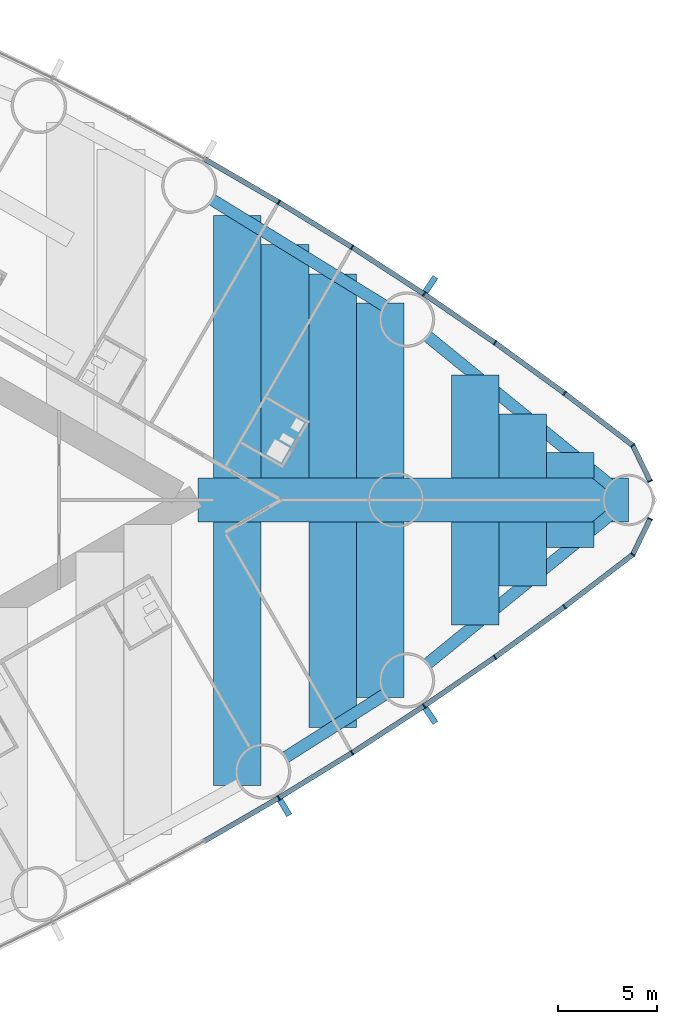
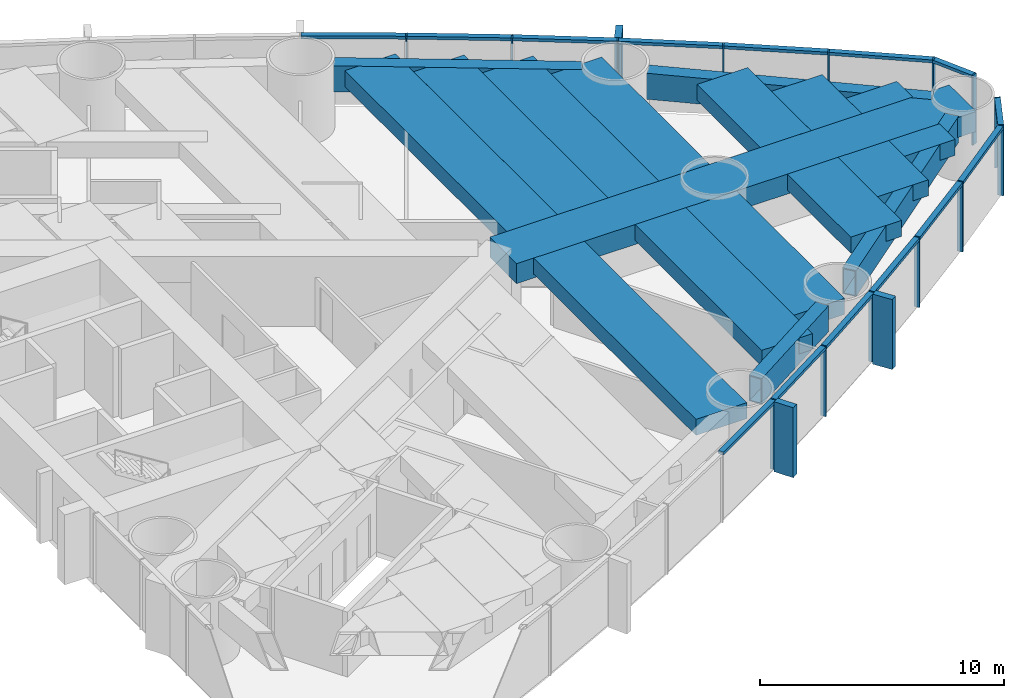
# One storey, part 8 of 19: 31 members, 18 beams, 2 elements without a shape of their own.
"""IFC4 building model written with IfcOpenShell, lengths in metres."""

from ifc_helpers import new_model, si_unit, direction, frame, origin, origin_2d, place, context, subcontext, project, spatial, rectangle, hollow_rectangle, extrude, material, material_profile, profile_set, type_object, element, aggregate, save


model = new_model("IFC4")

# Units and contexts
model_context = context("Model", 3, precision=1e-05, world=origin(), true_north=direction((0.0, 1.0)))
body_context = subcontext(model_context, "Body", "Model", "MODEL_VIEW")
ifc_project = project(units=[si_unit("LENGTHUNIT", "METRE"), si_unit("AREAUNIT", "SQUARE_METRE"), si_unit("VOLUMEUNIT", "CUBIC_METRE"), si_unit("PLANEANGLEUNIT", "RADIAN"), si_unit("MASSUNIT", "GRAM", prefix="KILO")], contexts=[model_context])

# Site, building, storey
site_placement = place(None, origin())
site = spatial("IfcSite", under=ifc_project, at=site_placement, CompositionType="ELEMENT")
building_placement = place(site_placement, origin())
building = spatial("IfcBuilding", under=site, at=building_placement, Name="Lancet Gate Hotel", CompositionType="ELEMENT")
storey_placement = place(building_placement, frame((0.0, 0.0, 74.0)))
storey = spatial("IfcBuildingStorey", under=building, at=storey_placement, Name="L19", CompositionType="ELEMENT", Elevation=74.0)

# Curtain wall, members
ifc_material_1 = material(Name="Aluminium curtain wall", Category="aluminium")
curtain_wall_type = type_object("IfcCurtainWallType", Name="Tower unitised curtain wall", PredefinedType="USERDEFINED", material=ifc_material_1)
curtain_wall_1_placement = place(storey_placement, origin())
curtain_wall_1 = element("IfcCurtainWall", 1, at=curtain_wall_1_placement, inside=storey, type_object=curtain_wall_type, Name="T2 L19 curtain wall 2", ObjectType="UNITISED CURTAIN WALL", PredefinedType="USERDEFINED")
ifc_material_2 = material(Name="Aluminium mullion", Category="aluminium")
ifc_material_profile_1 = material_profile(ifc_material_2, rectangle(XDim=0.06494140625, YDim=0.25, at=origin_2d()), Name="MULLION 65x250")
ifc_profile_set_1 = profile_set([ifc_material_profile_1], Name="Aluminium mullion")
member_type_1 = type_object("IfcMemberType", Name="Aluminium mullion 65x250", PredefinedType="MULLION", material=ifc_profile_set_1)
member_1_placement = place(storey_placement, frame((55.590087890625, -15.03125, 0.0), z_axis=(0.0, 0.0, 1.0), x_axis=(0.858413008828, 0.512959166284, 0.0)))
member_1 = element("IfcMember", 2, at=member_1_placement, type_object=member_type_1, Name="T2 L19 curtain wall 2 mullion 8", PredefinedType="MULLION", context=body_context, shape_type="SweptSolid", body=[
    extrude(rectangle(XDim=0.06494140625, YDim=0.25, at=origin_2d()), origin(), (0.0, 0.0, 1.0), 3.5),
])
member_2_placement = place(storey_placement, frame((59.28515625, -12.7587890625, 0.0), z_axis=(0.0, 0.0, 1.0), x_axis=(0.845079420983, 0.534640788035, 0.0)))
member_2 = element("IfcMember", 3, at=member_2_placement, type_object=member_type_1, Name="T2 L19 curtain wall 2 mullion 9", PredefinedType="MULLION", context=body_context, shape_type="SweptSolid", body=[
    extrude(rectangle(XDim=0.06494140625, YDim=0.25, at=origin_2d()), origin(), (0.0, 0.0, 1.0), 3.5),
])
member_3_placement = place(storey_placement, frame((62.921142578125, -10.393310546875, 0.0), z_axis=(0.0, 0.0, 1.0), x_axis=(0.831198325377, 0.555976028162, 0.0)))
member_3 = element("IfcMember", 4, at=member_3_placement, type_object=member_type_1, Name="T2 L19 curtain wall 2 mullion 10", PredefinedType="MULLION", context=body_context, shape_type="SweptSolid", body=[
    extrude(rectangle(XDim=0.06494140625, YDim=0.25, at=origin_2d()), origin(), (0.0, 0.0, 1.0), 3.5),
])
member_4_placement = place(storey_placement, frame((66.49560546875, -7.935791015625, 0.0), z_axis=(0.0, 0.0, 1.0), x_axis=(0.816778715254, 0.576951064049, 0.0)))
member_4 = element("IfcMember", 5, at=member_4_placement, type_object=member_type_1, Name="T2 L19 curtain wall 2 mullion 11", PredefinedType="MULLION", context=body_context, shape_type="SweptSolid", body=[
    extrude(rectangle(XDim=0.06494140625, YDim=0.25, at=origin_2d()), origin(), (0.0, 0.0, 1.0), 3.5),
])
member_5_placement = place(storey_placement, frame((70.00634765625, -5.388427734375, 0.0), z_axis=(0.0, 0.0, 1.0), x_axis=(0.801829932754, 0.597552306447, 0.0)))
member_5 = element("IfcMember", 6, at=member_5_placement, type_object=member_type_1, Name="T2 L19 curtain wall 2 mullion 12", PredefinedType="MULLION", context=body_context, shape_type="SweptSolid", body=[
    extrude(rectangle(XDim=0.06494140625, YDim=0.25, at=origin_2d()), origin(), (0.0, 0.0, 1.0), 3.5),
])
member_6_placement = place(storey_placement, frame((73.451416015625, -2.752197265625, 0.0), z_axis=(0.0, 0.0, 1.0), x_axis=(0.697983022443, 0.716114306784, 0.0)))
member_6 = element("IfcMember", 7, at=member_6_placement, type_object=member_type_1, Name="T2 L19 curtain wall 2 mullion 13", PredefinedType="MULLION", context=body_context, shape_type="SweptSolid", body=[
    extrude(rectangle(XDim=0.06494140625, YDim=0.25, at=origin_2d()), origin(), (0.0, 0.0, 1.0), 3.5),
])
member_7_placement = place(storey_placement, frame((74.322265625, -0.96044921875, 0.0), z_axis=(0.0, 0.0, 1.0), x_axis=(0.437169070119, 0.899379343843, 0.0)))
member_7 = element("IfcMember", 8, at=member_7_placement, type_object=member_type_1, Name="T2 L19 curtain wall 2 mullion 14", PredefinedType="MULLION", context=body_context, shape_type="SweptSolid", body=[
    extrude(rectangle(XDim=0.06494140625, YDim=0.25, at=origin_2d()), origin(), (0.0, 0.0, 1.0), 3.5),
])

curtain_wall_2_placement = place(storey_placement, origin())
curtain_wall_2 = element("IfcCurtainWall", 9, at=curtain_wall_2_placement, inside=storey, type_object=curtain_wall_type, Name="T2 L19 curtain wall 3", ObjectType="UNITISED CURTAIN WALL", PredefinedType="USERDEFINED")
member_8_placement = place(storey_placement, frame((74.322265625, 0.96044921875, 0.0), z_axis=(0.0, 0.0, 1.0), x_axis=(-0.437169070119, 0.899379343843, 0.0)))
member_8 = element("IfcMember", 10, at=member_8_placement, type_object=member_type_1, Name="T2 L19 curtain wall 3 mullion 1", PredefinedType="MULLION", context=body_context, shape_type="SweptSolid", body=[
    extrude(rectangle(XDim=0.06494140625, YDim=0.25, at=origin_2d()), origin(), (0.0, 0.0, 1.0), 3.5),
])
member_9_placement = place(storey_placement, frame((73.451416015625, 2.752197265625, 0.0), z_axis=(0.0, 0.0, 1.0), x_axis=(-0.697983022443, 0.716114306784, 0.0)))
member_9 = element("IfcMember", 11, at=member_9_placement, type_object=member_type_1, Name="T2 L19 curtain wall 3 mullion 2", PredefinedType="MULLION", context=body_context, shape_type="SweptSolid", body=[
    extrude(rectangle(XDim=0.06494140625, YDim=0.25, at=origin_2d()), origin(), (0.0, 0.0, 1.0), 3.5),
])
member_10_placement = place(storey_placement, frame((70.00634765625, 5.388427734375, 0.0), z_axis=(0.0, 0.0, 1.0), x_axis=(-0.801829932754, 0.597552306447, 0.0)))
member_10 = element("IfcMember", 12, at=member_10_placement, type_object=member_type_1, Name="T2 L19 curtain wall 3 mullion 3", PredefinedType="MULLION", context=body_context, shape_type="SweptSolid", body=[
    extrude(rectangle(XDim=0.06494140625, YDim=0.25, at=origin_2d()), origin(), (0.0, 0.0, 1.0), 3.5),
])
member_11_placement = place(storey_placement, frame((66.49560546875, 7.935791015625, 0.0), z_axis=(0.0, 0.0, 1.0), x_axis=(-0.816778715254, 0.576951064049, 0.0)))
member_11 = element("IfcMember", 13, at=member_11_placement, type_object=member_type_1, Name="T2 L19 curtain wall 3 mullion 4", PredefinedType="MULLION", context=body_context, shape_type="SweptSolid", body=[
    extrude(rectangle(XDim=0.06494140625, YDim=0.25, at=origin_2d()), origin(), (0.0, 0.0, 1.0), 3.5),
])
member_12_placement = place(storey_placement, frame((62.921142578125, 10.393310546875, 0.0), z_axis=(0.0, 0.0, 1.0), x_axis=(-0.831198325377, 0.555976028162, 0.0)))
member_12 = element("IfcMember", 14, at=member_12_placement, type_object=member_type_1, Name="T2 L19 curtain wall 3 mullion 5", PredefinedType="MULLION", context=body_context, shape_type="SweptSolid", body=[
    extrude(rectangle(XDim=0.06494140625, YDim=0.25, at=origin_2d()), origin(), (0.0, 0.0, 1.0), 3.5),
])
member_13_placement = place(storey_placement, frame((59.28515625, 12.7587890625, 0.0), z_axis=(0.0, 0.0, 1.0), x_axis=(-0.845079420983, 0.534640788035, 0.0)))
member_13 = element("IfcMember", 15, at=member_13_placement, type_object=member_type_1, Name="T2 L19 curtain wall 3 mullion 6", PredefinedType="MULLION", context=body_context, shape_type="SweptSolid", body=[
    extrude(rectangle(XDim=0.06494140625, YDim=0.25, at=origin_2d()), origin(), (0.0, 0.0, 1.0), 3.5),
])
member_14_placement = place(storey_placement, frame((55.590087890625, 15.03125, 0.0), z_axis=(0.0, 0.0, 1.0), x_axis=(-0.858413008828, 0.512959166284, 0.0)))
member_14 = element("IfcMember", 16, at=member_14_placement, type_object=member_type_1, Name="T2 L19 curtain wall 3 mullion 7", PredefinedType="MULLION", context=body_context, shape_type="SweptSolid", body=[
    extrude(rectangle(XDim=0.06494140625, YDim=0.25, at=origin_2d()), origin(), (0.0, 0.0, 1.0), 3.5),
])

# Member
ifc_material_3 = material(Name="Aluminium transom", Category="aluminium")
ifc_material_profile_2 = material_profile(ifc_material_3, rectangle(XDim=0.25, YDim=0.14990234375, at=origin_2d()), Name="TRANSOM 250x150")
ifc_profile_set_2 = profile_set([ifc_material_profile_2], Name="Aluminium transom")
member_type_2 = type_object("IfcMemberType", Name="Aluminium transom 250x150", PredefinedType="USERDEFINED", material=ifc_profile_set_2)
member_15_placement = place(storey_placement, frame((51.86669921875, -17.1923828125, 3.425048828125), z_axis=(0.864854571156, 0.502022480324, 0.0), x_axis=(-0.502022480324, 0.864854571156, 0.0)))
member_15 = element("IfcMember", 17, at=member_15_placement, type_object=member_type_2, Name="T2 L19 curtain wall 2 transom 7", ObjectType="TRANSOM", PredefinedType="USERDEFINED", context=body_context, shape_type="SweptSolid", body=[
    extrude(rectangle(XDim=0.25, YDim=0.14990234375, at=origin_2d()), origin(), (0.0, 0.0, 1.0), 4.272705078125),
])

member_16_placement = place(storey_placement, frame((55.617919921875, -15.01416015625, 3.425048828125), z_axis=(0.851815224451, 0.523842365023, 0.0), x_axis=(-0.523842365023, 0.851815224451, 0.0)))
member_16 = element("IfcMember", 18, at=member_16_placement, type_object=member_type_2, Name="T2 L19 curtain wall 2 transom 8", ObjectType="TRANSOM", PredefinedType="USERDEFINED", context=body_context, shape_type="SweptSolid", body=[
    extrude(rectangle(XDim=0.25, YDim=0.14990234375, at=origin_2d()), origin(), (0.0, 0.0, 1.0), 4.272705078125),
])

member_17_placement = place(storey_placement, frame((59.3125, -12.7412109375, 3.425048828125), z_axis=(0.83817850664, 0.545395994674, 0.0), x_axis=(-0.545395994674, 0.83817850664, 0.0)))
member_17 = element("IfcMember", 19, at=member_17_placement, type_object=member_type_2, Name="T2 L19 curtain wall 2 transom 9", ObjectType="TRANSOM", PredefinedType="USERDEFINED", context=body_context, shape_type="SweptSolid", body=[
    extrude(rectangle(XDim=0.25, YDim=0.14990234375, at=origin_2d()), origin(), (0.0, 0.0, 1.0), 4.272705078125),
])

member_18_placement = place(storey_placement, frame((62.94775390625, -10.374755859375, 3.425048828125), z_axis=(0.824071932869, 0.566485171437, 0.0), x_axis=(-0.566485171437, 0.824071932869, 0.0)))
member_18 = element("IfcMember", 20, at=member_18_placement, type_object=member_type_2, Name="T2 L19 curtain wall 2 transom 10", ObjectType="TRANSOM", PredefinedType="USERDEFINED", context=body_context, shape_type="SweptSolid", body=[
    extrude(rectangle(XDim=0.25, YDim=0.14990234375, at=origin_2d()), origin(), (0.0, 0.0, 1.0), 4.272705078125),
])

member_19_placement = place(storey_placement, frame((66.52197265625, -7.916748046875, 3.425048828125), z_axis=(0.809382971085, 0.587281198505, 0.0), x_axis=(-0.587281198505, 0.809382971085, 0.0)))
member_19 = element("IfcMember", 21, at=member_19_placement, type_object=member_type_2, Name="T2 L19 curtain wall 2 transom 11", ObjectType="TRANSOM", PredefinedType="USERDEFINED", context=body_context, shape_type="SweptSolid", body=[
    extrude(rectangle(XDim=0.25, YDim=0.14990234375, at=origin_2d()), origin(), (0.0, 0.0, 1.0), 4.272705078125),
])

member_20_placement = place(storey_placement, frame((70.0322265625, -5.36865234375, 3.425048828125), z_axis=(0.794155062652, 0.607715177089, 0.0), x_axis=(-0.607715177089, 0.794155062652, 0.0)))
member_20 = element("IfcMember", 22, at=member_20_placement, type_object=member_type_2, Name="T2 L19 curtain wall 2 transom 12", ObjectType="TRANSOM", PredefinedType="USERDEFINED", context=body_context, shape_type="SweptSolid", body=[
    extrude(rectangle(XDim=0.25, YDim=0.14990234375, at=origin_2d()), origin(), (0.0, 0.0, 1.0), 4.27294921875),
])

member_21_placement = place(storey_placement, frame((73.465576171875, -2.72314453125, 3.425048828125), z_axis=(0.437103060611, 0.899411426659, 0.0), x_axis=(-0.899411426659, 0.437103060611, 0.0)))
member_21 = element("IfcMember", 23, at=member_21_placement, type_object=member_type_2, Name="T2 L19 curtain wall 2 transom 13", ObjectType="TRANSOM", PredefinedType="USERDEFINED", context=body_context, shape_type="SweptSolid", body=[
    extrude(rectangle(XDim=0.25, YDim=0.14990234375, at=origin_2d()), origin(), (0.0, 0.0, 1.0), 1.927490234375),
])

member_22_placement = place(storey_placement, frame((74.30810546875, 0.989501953125, 3.425048828125), z_axis=(-0.437103060611, 0.899411426659, 0.0), x_axis=(-0.899411426659, -0.437103060611, 0.0)))
member_22 = element("IfcMember", 24, at=member_22_placement, type_object=member_type_2, Name="T2 L19 curtain wall 3 transom 1", ObjectType="TRANSOM", PredefinedType="USERDEFINED", context=body_context, shape_type="SweptSolid", body=[
    extrude(rectangle(XDim=0.25, YDim=0.14990234375, at=origin_2d()), origin(), (0.0, 0.0, 1.0), 1.927490234375),
])

member_23_placement = place(storey_placement, frame((73.425537109375, 2.77197265625, 3.425048828125), z_axis=(-0.794155062652, 0.607715177089, 0.0), x_axis=(-0.607715177089, -0.794155062652, 0.0)))
member_23 = element("IfcMember", 25, at=member_23_placement, type_object=member_type_2, Name="T2 L19 curtain wall 3 transom 2", ObjectType="TRANSOM", PredefinedType="USERDEFINED", context=body_context, shape_type="SweptSolid", body=[
    extrude(rectangle(XDim=0.25, YDim=0.14990234375, at=origin_2d()), origin(), (0.0, 0.0, 1.0), 4.27294921875),
])

member_24_placement = place(storey_placement, frame((69.980224609375, 5.407470703125, 3.425048828125), z_axis=(-0.809382971085, 0.587281198505, 0.0), x_axis=(-0.587281198505, -0.809382971085, 0.0)))
member_24 = element("IfcMember", 26, at=member_24_placement, type_object=member_type_2, Name="T2 L19 curtain wall 3 transom 3", ObjectType="TRANSOM", PredefinedType="USERDEFINED", context=body_context, shape_type="SweptSolid", body=[
    extrude(rectangle(XDim=0.25, YDim=0.14990234375, at=origin_2d()), origin(), (0.0, 0.0, 1.0), 4.272705078125),
])

member_25_placement = place(storey_placement, frame((66.46875, 7.954345703125, 3.425048828125), z_axis=(-0.824071932869, 0.566485171437, 0.0), x_axis=(-0.566485171437, -0.824071932869, 0.0)))
member_25 = element("IfcMember", 27, at=member_25_placement, type_object=member_type_2, Name="T2 L19 curtain wall 3 transom 4", ObjectType="TRANSOM", PredefinedType="USERDEFINED", context=body_context, shape_type="SweptSolid", body=[
    extrude(rectangle(XDim=0.25, YDim=0.14990234375, at=origin_2d()), origin(), (0.0, 0.0, 1.0), 4.272705078125),
])

member_26_placement = place(storey_placement, frame((62.893798828125, 10.410888671875, 3.425048828125), z_axis=(-0.83817850664, 0.545395994674, 0.0), x_axis=(-0.545395994674, -0.83817850664, 0.0)))
member_26 = element("IfcMember", 28, at=member_26_placement, type_object=member_type_2, Name="T2 L19 curtain wall 3 transom 5", ObjectType="TRANSOM", PredefinedType="USERDEFINED", context=body_context, shape_type="SweptSolid", body=[
    extrude(rectangle(XDim=0.25, YDim=0.14990234375, at=origin_2d()), origin(), (0.0, 0.0, 1.0), 4.272705078125),
])

member_27_placement = place(storey_placement, frame((59.257568359375, 12.77587890625, 3.425048828125), z_axis=(-0.851815224451, 0.523842365023, 0.0), x_axis=(-0.523842365023, -0.851815224451, 0.0)))
member_27 = element("IfcMember", 29, at=member_27_placement, type_object=member_type_2, Name="T2 L19 curtain wall 3 transom 6", ObjectType="TRANSOM", PredefinedType="USERDEFINED", context=body_context, shape_type="SweptSolid", body=[
    extrude(rectangle(XDim=0.25, YDim=0.14990234375, at=origin_2d()), origin(), (0.0, 0.0, 1.0), 4.272705078125),
])

member_28_placement = place(storey_placement, frame((55.56201171875, 15.04736328125, 3.425048828125), z_axis=(-0.864854571156, 0.502022480324, 0.0), x_axis=(-0.502022480324, -0.864854571156, 0.0)))
member_28 = element("IfcMember", 30, at=member_28_placement, type_object=member_type_2, Name="T2 L19 curtain wall 3 transom 7", ObjectType="TRANSOM", PredefinedType="USERDEFINED", context=body_context, shape_type="SweptSolid", body=[
    extrude(rectangle(XDim=0.25, YDim=0.14990234375, at=origin_2d()), origin(), (0.0, 0.0, 1.0), 4.272705078125),
])

# Beams
ifc_material_4 = material(Name="Steel S460QL", Category="steel")
ifc_material_profile_3 = material_profile(ifc_material_4, hollow_rectangle(XDim=0.60009765625, YDim=1.300048828125, WallThickness=0.050048828125, at=origin_2d()), Name="BOX 1300x600x50")
ifc_profile_set_3 = profile_set([ifc_material_profile_3], Name="Steel S460QL")
beam_type_1 = type_object("IfcBeamType", Name="Edge beam BOX 1300x600x50", PredefinedType="SPANDREL", material=ifc_profile_set_3)
beam_1_placement = place(storey_placement, frame((55.93603515625, -12.978759765625, 2.60009765625), z_axis=(0.845082272445, 0.534636280848, 0.0), x_axis=(-0.534636280848, 0.845082272445, 0.0)))
element("IfcBeam", 31, at=beam_1_placement, inside=storey, type_object=beam_type_1, Name="T2 edge beam EB2 L19", PredefinedType="SPANDREL", context=body_context, shape_type="SweptSolid", body=[
    extrude(hollow_rectangle(XDim=0.60009765625, YDim=1.300048828125, WallThickness=0.050048828125, at=origin_2d()), origin(), (0.0, 0.0, 1.0), 5.895751953125),
])
for number, where, z_axis, x_axis, name in (
    (32, (63.106201171875, -8.25244140625, 2.60009765625), (0.775387451971, 0.631485787113, 0.0), (-0.631485787113, 0.775387451971, 0.0), "T2 edge beam EB2 L19"),
    (33, (72.27001953125, 0.789306640625, 2.60009765625), (-0.775387451971, 0.631485787113, 0.0), (-0.631485787113, -0.775387451971, 0.0), "T2 edge beam EB2 L19"),
):
    element("IfcBeam", number, at=place(storey_placement, frame(where, z_axis=z_axis, x_axis=x_axis)), inside=storey, type_object=beam_type_1, Name=name, PredefinedType="SPANDREL", context=body_context, shape_type="SweptSolid", body=[
        extrude(hollow_rectangle(XDim=0.60009765625, YDim=1.300048828125, WallThickness=0.050048828125, at=origin_2d()), origin(), (0.0, 0.0, 1.0), 11.818359375),
    ])
beam_2_placement = place(storey_placement, frame((60.909423828125, 9.81201171875, 2.60009765625), z_axis=(-0.851815364976, 0.523842136517, 0.0), x_axis=(-0.523842136517, -0.851815364976, 0.0)))
element("IfcBeam", 34, at=beam_2_placement, inside=storey, type_object=beam_type_1, Name="T2 edge beam EB2 L19", PredefinedType="SPANDREL", context=body_context, shape_type="SweptSolid", body=[
    extrude(hollow_rectangle(XDim=0.60009765625, YDim=1.300048828125, WallThickness=0.050048828125, at=origin_2d()), origin(), (0.0, 0.0, 1.0), 10.192138671875),
])

# Member
ifc_material_5 = material(Name="Precast concrete C50/60", Category="concrete")
ifc_material_profile_4 = material_profile(ifc_material_5, rectangle(XDim=0.300048828125, YDim=0.89990234375, at=origin_2d()), Name="FIN 300x900")
ifc_profile_set_4 = profile_set([ifc_material_profile_4], Name="Precast concrete C50/60")
member_type_3 = type_object("IfcMemberType", Name="Exposed concrete fin 300x900", PredefinedType="USERDEFINED", material=ifc_profile_set_4)
member_29_placement = place(storey_placement, frame((55.88525390625, -15.524658203125, 0.0), z_axis=(0.0, 0.0, 1.0), x_axis=(0.858413008828, 0.512959166284, 0.0)))
member_29 = element("IfcMember", 35, at=member_29_placement, type_object=member_type_3, Name="T2 L19 curtain wall 2 fin 8", ObjectType="FIN", PredefinedType="USERDEFINED", context=body_context, shape_type="SweptSolid", body=[
    extrude(rectangle(XDim=0.300048828125, YDim=0.89990234375, at=origin_2d()), origin(), (0.0, 0.0, 1.0), 3.5),
])

member_30_placement = place(storey_placement, frame((63.24072265625, -10.87109375, 0.0), z_axis=(0.0, 0.0, 1.0), x_axis=(0.831198325377, 0.555976028162, 0.0)))
member_30 = element("IfcMember", 36, at=member_30_placement, type_object=member_type_3, Name="T2 L19 curtain wall 2 fin 10", ObjectType="FIN", PredefinedType="USERDEFINED", context=body_context, shape_type="SweptSolid", body=[
    extrude(rectangle(XDim=0.300048828125, YDim=0.89990234375, at=origin_2d()), origin(), (0.0, 0.0, 1.0), 3.5),
])

aggregate(curtain_wall_1, [member_1, member_29, member_2, member_3, member_30, member_4, member_5, member_6, member_7, member_15, member_16, member_17, member_18, member_19, member_20, member_21])

member_31_placement = place(storey_placement, frame((63.24072265625, 10.87109375, 0.0), z_axis=(0.0, 0.0, 1.0), x_axis=(-0.831198325377, 0.555976028162, 0.0)))
member_31 = element("IfcMember", 37, at=member_31_placement, type_object=member_type_3, Name="T2 L19 curtain wall 3 fin 5", ObjectType="FIN", PredefinedType="USERDEFINED", context=body_context, shape_type="SweptSolid", body=[
    extrude(rectangle(XDim=0.300048828125, YDim=0.89990234375, at=origin_2d()), origin(), (0.0, 0.0, 1.0), 3.5),
])

aggregate(curtain_wall_2, [member_8, member_9, member_10, member_11, member_12, member_31, member_13, member_14, member_22, member_23, member_24, member_25, member_26, member_27, member_28])

# Beams
ifc_material_6 = material(Name="Concrete C50/60", Category="concrete")
ifc_material_profile_5 = material_profile(ifc_material_6, rectangle(XDim=2.39990234375, YDim=0.800048828125, at=origin_2d()), Name="RC 2400x800")
ifc_profile_set_5 = profile_set([ifc_material_profile_5], Name="Concrete C50/60")
beam_type_2 = type_object("IfcBeamType", Name="Floor beam RC 2400x800", PredefinedType="BEAM", material=ifc_profile_set_5)
beam_3_placement = place(storey_placement, frame((53.502197265625, -14.40771484375, 2.85009765625), z_axis=(0.0, 1.0, 0.0), x_axis=(-1.0, 0.0, 0.0)))
element("IfcBeam", 38, at=beam_3_placement, inside=storey, type_object=beam_type_2, Name="T2 floor beam F16S L19", PredefinedType="BEAM", context=body_context, shape_type="SweptSolid", body=[
    extrude(rectangle(XDim=2.39990234375, YDim=0.800048828125, at=origin_2d()), origin(), (0.0, 0.0, 1.0), 13.3076171875),
])
beam_4_placement = place(storey_placement, frame((53.502197265625, 1.10009765625, 2.85009765625), z_axis=(0.0, 1.0, 0.0), x_axis=(-1.0, 0.0, 0.0)))
element("IfcBeam", 39, at=beam_4_placement, inside=storey, type_object=beam_type_2, Name="T2 floor beam F17N L19", PredefinedType="BEAM", context=body_context, shape_type="SweptSolid", body=[
    extrude(rectangle(XDim=2.39990234375, YDim=0.800048828125, at=origin_2d()), origin(), (0.0, 0.0, 1.0), 13.26708984375),
])
beam_5_placement = place(storey_placement, frame((55.90234375, 1.10009765625, 2.85009765625), z_axis=(0.0, 1.0, 0.0), x_axis=(-1.0, 0.0, 0.0)))
element("IfcBeam", 40, at=beam_5_placement, inside=storey, type_object=beam_type_2, Name="T2 floor beam F18N L19", PredefinedType="BEAM", context=body_context, shape_type="SweptSolid", body=[
    extrude(rectangle(XDim=2.39990234375, YDim=0.800048828125, at=origin_2d()), origin(), (0.0, 0.0, 1.0), 11.791259765625),
])
beam_6_placement = place(storey_placement, frame((58.30224609375, -11.48193359375, 2.85009765625), z_axis=(0.0, 1.0, 0.0), x_axis=(-1.0, 0.0, 0.0)))
element("IfcBeam", 41, at=beam_6_placement, inside=storey, type_object=beam_type_2, Name="T2 floor beam F19S L19", PredefinedType="BEAM", context=body_context, shape_type="SweptSolid", body=[
    extrude(rectangle(XDim=2.39990234375, YDim=0.800048828125, at=origin_2d()), origin(), (0.0, 0.0, 1.0), 10.3818359375),
])
beam_7_placement = place(storey_placement, frame((58.30224609375, 1.10009765625, 2.85009765625), z_axis=(0.0, 1.0, 0.0), x_axis=(-1.0, 0.0, 0.0)))
element("IfcBeam", 42, at=beam_7_placement, inside=storey, type_object=beam_type_2, Name="T2 floor beam F20N L19", PredefinedType="BEAM", context=body_context, shape_type="SweptSolid", body=[
    extrude(rectangle(XDim=2.39990234375, YDim=0.800048828125, at=origin_2d()), origin(), (0.0, 0.0, 1.0), 10.3154296875),
])
beam_8_placement = place(storey_placement, frame((60.7021484375, -9.96337890625, 2.85009765625), z_axis=(0.0, 1.0, 0.0), x_axis=(-1.0, 0.0, 0.0)))
element("IfcBeam", 43, at=beam_8_placement, inside=storey, type_object=beam_type_2, Name="T2 floor beam F21S L19", PredefinedType="BEAM", context=body_context, shape_type="SweptSolid", body=[
    extrude(rectangle(XDim=2.39990234375, YDim=0.800048828125, at=origin_2d()), origin(), (0.0, 0.0, 1.0), 8.86328125),
])
beam_9_placement = place(storey_placement, frame((60.7021484375, 1.10009765625, 2.85009765625), z_axis=(0.0, 1.0, 0.0), x_axis=(-1.0, 0.0, 0.0)))
element("IfcBeam", 44, at=beam_9_placement, inside=storey, type_object=beam_type_2, Name="T2 floor beam F22N L19", PredefinedType="BEAM", context=body_context, shape_type="SweptSolid", body=[
    extrude(rectangle(XDim=2.39990234375, YDim=0.800048828125, at=origin_2d()), origin(), (0.0, 0.0, 1.0), 8.83935546875),
])
for number, where, z_axis, x_axis, name in (
    (45, (65.502197265625, -6.301025390625, 2.85009765625), (0.0, 1.0, 0.0), (-1.0, 0.0, 0.0), "T2 floor beam F23S L19"),
    (46, (65.502197265625, 1.10009765625, 2.85009765625), (0.0, 1.0, 0.0), (-1.0, 0.0, 0.0), "T2 floor beam F24N L19"),
):
    element("IfcBeam", number, at=place(storey_placement, frame(where, z_axis=z_axis, x_axis=x_axis)), inside=storey, type_object=beam_type_2, Name=name, PredefinedType="BEAM", context=body_context, shape_type="SweptSolid", body=[
        extrude(rectangle(XDim=2.39990234375, YDim=0.800048828125, at=origin_2d()), origin(), (0.0, 0.0, 1.0), 5.200927734375),
    ])
for number, where, z_axis, x_axis, name in (
    (47, (67.90234375, -4.346435546875, 2.85009765625), (0.0, 1.0, 0.0), (-1.0, 0.0, 0.0), "T2 floor beam F25S L19"),
    (48, (67.90234375, 1.10009765625, 2.85009765625), (0.0, 1.0, 0.0), (-1.0, 0.0, 0.0), "T2 floor beam F26N L19"),
):
    element("IfcBeam", number, at=place(storey_placement, frame(where, z_axis=z_axis, x_axis=x_axis)), inside=storey, type_object=beam_type_2, Name=name, PredefinedType="BEAM", context=body_context, shape_type="SweptSolid", body=[
        extrude(rectangle(XDim=2.39990234375, YDim=0.800048828125, at=origin_2d()), origin(), (0.0, 0.0, 1.0), 3.246337890625),
    ])
for number, where, z_axis, x_axis, name in (
    (49, (70.30224609375, -2.391845703125, 2.85009765625), (0.0, 1.0, 0.0), (-1.0, 0.0, 0.0), "T2 floor beam F27S L19"),
    (50, (70.30224609375, 1.10009765625, 2.85009765625), (0.0, 1.0, 0.0), (-1.0, 0.0, 0.0), "T2 floor beam F28N L19"),
):
    element("IfcBeam", number, at=place(storey_placement, frame(where, z_axis=z_axis, x_axis=x_axis)), inside=storey, type_object=beam_type_2, Name=name, PredefinedType="BEAM", context=body_context, shape_type="SweptSolid", body=[
        extrude(rectangle(XDim=2.39990234375, YDim=0.800048828125, at=origin_2d()), origin(), (0.0, 0.0, 1.0), 1.291748046875),
    ])
ifc_material_7 = material(Name="Concrete C50/60", Category="concrete")
ifc_material_profile_6 = material_profile(ifc_material_7, rectangle(XDim=2.199951171875, YDim=1.0, at=origin_2d()), Name="RC 2200x1000")
ifc_profile_set_6 = profile_set([ifc_material_profile_6], Name="Concrete C50/60")
beam_type_3 = type_object("IfcBeamType", Name="Radial floor beam RC 2200x1000", PredefinedType="BEAM", material=ifc_profile_set_6)
beam_10_placement = place(storey_placement, frame((73.2392578125, 0.0, 2.75), z_axis=(-1.0, 0.0, 0.0), x_axis=(0.0, -1.0, 0.0)))
element("IfcBeam", 51, at=beam_10_placement, inside=storey, type_object=beam_type_3, Name="T2 radial beam CA L19", PredefinedType="BEAM", context=body_context, shape_type="SweptSolid", body=[
    extrude(rectangle(XDim=2.199951171875, YDim=1.0, at=origin_2d()), origin(), (0.0, 0.0, 1.0), 21.737060546875),
])

save(model, "model.ifc")
